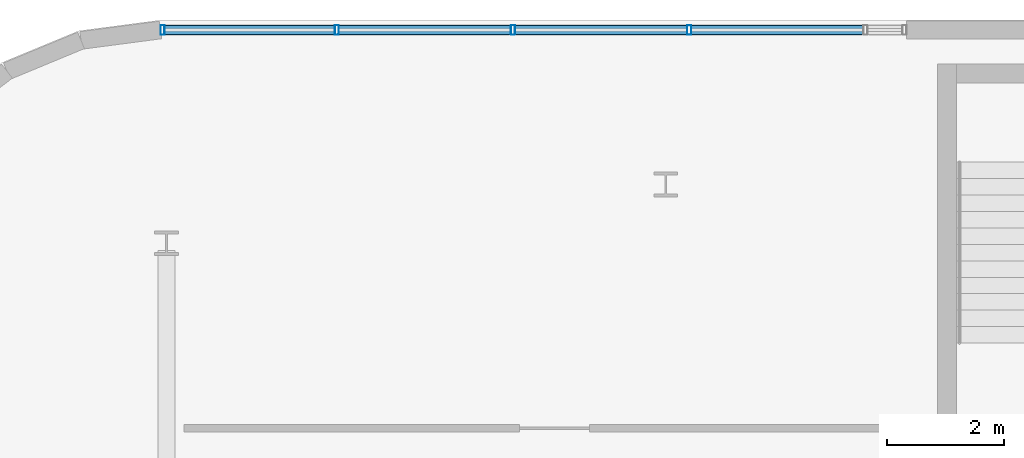
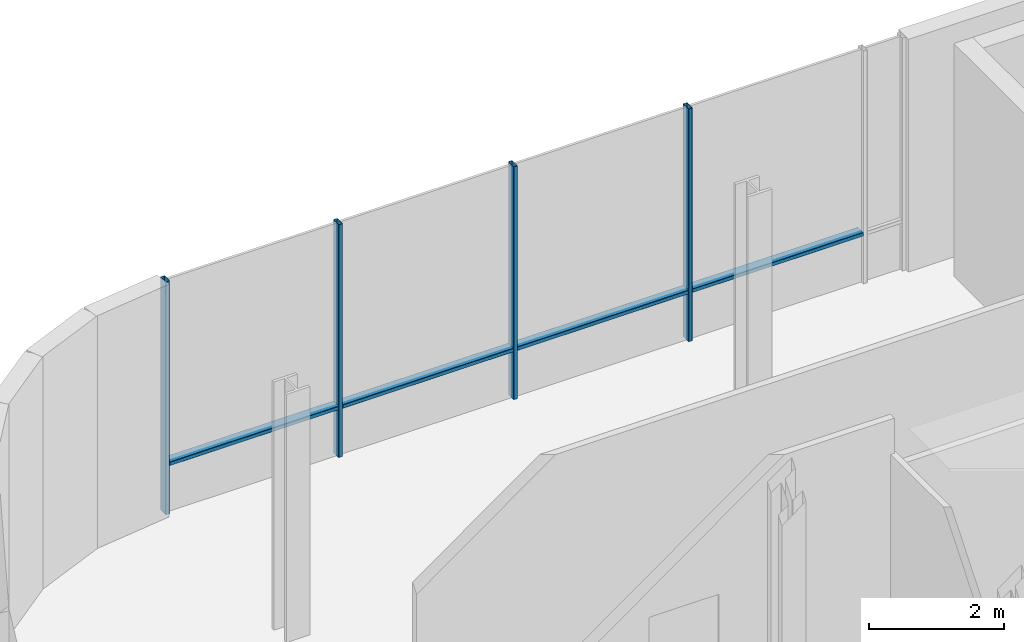
# One storey, part 5 of 25: 8 members, 1 element without a shape of its own.
"""IFC4 building model written with IfcOpenShell, lengths in metres."""

import ifcopenshell
import ifcopenshell.guid

model = None  # the IFC model being written
_history = None  # IfcOwnerHistory: only IFC2X3 demands one
_inside = {}  # id of a spatial element -> (the spatial element, [elements in it])
_under = {}  # id of a project, library or spatial element -> (it, [spatial elements below it])
_declared = {}  # id of a project -> (the project, [libraries it declares])
_typed = {}  # id of a type object -> (the type object, [elements of that type])
_made_of = {}  # id of a material, layer set ... -> (it, [elements and type objects made of it])


def new_model(schema):
    """Start an empty IFC model of exactly this schema.

    Asked for "IFC4X3", IfcOpenShell would pick the latest addendum, in which some entities
    have other attributes; the version numbers below select the first issue.
    IFC2X3 requires an IfcOwnerHistory on every rooted entity: one is made here for all.
    """
    global model, _history
    if schema == "IFC4X3":
        model = ifcopenshell.file(schema_version=(4, 3, 0, 0))
    else:
        model = ifcopenshell.file(schema=schema)
    _inside.clear()
    _under.clear()
    _declared.clear()
    _typed.clear()
    _made_of.clear()
    _history = None
    if model.schema == "IFC2X3":
        org = make("IfcOrganization", Name="unknown")
        user = make(
            "IfcPersonAndOrganization",
            ThePerson=make("IfcPerson", FamilyName="unknown"),
            TheOrganization=org,
        )
        app = make(
            "IfcApplication",
            ApplicationDeveloper=org,
            Version="unknown",
            ApplicationFullName="unknown",
            ApplicationIdentifier="unknown",
        )
        _history = make(
            "IfcOwnerHistory",
            OwningUser=user,
            OwningApplication=app,
            ChangeAction="ADDED",
            CreationDate=0,
        )
    return model


def make(cls, **values):
    """One entity of the class cls with the attributes given. An attribute that is None is left unset."""
    return model.create_entity(
        cls, **{name: value for name, value in values.items() if value is not None}
    )


def rooted(cls, **values):
    """An entity with a GlobalId (a new one), such as an element, a storey or a relation."""
    return make(cls, GlobalId=ifcopenshell.guid.new(), OwnerHistory=_history, **values)


def si_unit(unit_type, name, prefix=None):
    """IfcSIUnit, for example si_unit("LENGTHUNIT", "METRE", prefix="MILLI")."""
    return make("IfcSIUnit", UnitType=unit_type, Prefix=prefix, Name=name)


def assignment(units):
    """IfcUnitAssignment: the units of a project."""
    return None if units is None else make("IfcUnitAssignment", Units=units)


def point(xyz):
    """IfcCartesianPoint."""
    return None if xyz is None else make("IfcCartesianPoint", Coordinates=xyz)


def direction(xyz):
    """IfcDirection."""
    return None if xyz is None else make("IfcDirection", DirectionRatios=xyz)


def frame(location, z_axis=None, x_axis=None):
    """IfcAxis2Placement3D, a coordinate frame: its origin and axes. An axis left out is left unset."""
    return make(
        "IfcAxis2Placement3D",
        Location=point(location),
        Axis=direction(z_axis),
        RefDirection=direction(x_axis),
    )


def frame_2d(location, x_axis=None):
    """IfcAxis2Placement2D, a coordinate frame in the plane: its origin and x axis."""
    return make(
        "IfcAxis2Placement2D", Location=point(location), RefDirection=direction(x_axis)
    )


def origin():
    """The frame at (0, 0, 0) with its axes left unset."""
    return frame((0.0, 0.0, 0.0))


def origin_2d():
    """The frame at (0, 0) in the plane with its x axis left unset."""
    return frame_2d((0.0, 0.0))


def place(relative_to, where):
    """IfcLocalPlacement: puts the frame where relative to a parent placement (None: the world)."""
    return make(
        "IfcLocalPlacement", PlacementRelTo=relative_to, RelativePlacement=where
    )


def context(
    kind, dimensions, precision=None, world=None, true_north=None, identifier=None
):
    """IfcGeometricRepresentationContext, for example the 3D "Model" context."""
    return make(
        "IfcGeometricRepresentationContext",
        ContextIdentifier=identifier,
        ContextType=kind,
        CoordinateSpaceDimension=dimensions,
        Precision=precision,
        WorldCoordinateSystem=world,
        TrueNorth=true_north,
    )


def subcontext(parent, identifier, kind, view, scale=None):
    """IfcGeometricRepresentationSubContext, for example "Body" below "Model"."""
    return make(
        "IfcGeometricRepresentationSubContext",
        ContextIdentifier=identifier,
        ContextType=kind,
        ParentContext=parent,
        TargetScale=scale,
        TargetView=view,
    )


def project(units=None, contexts=None):
    """IfcProject with its units and contexts."""
    return rooted(
        "IfcProject",
        Name="project",
        RepresentationContexts=contexts,
        UnitsInContext=assignment(units),
    )


def spatial(cls, under=None, at=None, **own):
    """A site, building, storey or space (cls), placed at a placement, below another one or the project."""
    s = rooted(cls, ObjectPlacement=at, **own)
    if under is not None:
        _under.setdefault(under.id(), (under, []))[1].append(s)
    return s


def profile(cls, at=None, kind="AREA", **sizes):
    """A parametric profile (cls). Its sizes go by their IFC names, for example OverallWidth=200.0."""
    return make(cls, ProfileType=kind, Position=at, **sizes)


def hollow_rectangle(**sizes):
    """IfcRectangleHollowProfileDef."""
    return profile("IfcRectangleHollowProfileDef", **sizes)


def extrude(swept, where, along, depth):
    """IfcExtrudedAreaSolid: the profile swept, set in the frame where, extruded along a direction by depth."""
    return make(
        "IfcExtrudedAreaSolid",
        SweptArea=swept,
        Position=where,
        ExtrudedDirection=direction(along),
        Depth=depth,
    )


def shape(context_of_items, identifier, shape_type, items):
    """IfcShapeRepresentation: the items that make up one representation, for example the "Body"."""
    return make(
        "IfcShapeRepresentation",
        ContextOfItems=context_of_items,
        RepresentationIdentifier=identifier,
        RepresentationType=shape_type,
        Items=items,
    )


def material(Name=None, Category=None):
    """IfcMaterial."""
    return make("IfcMaterial", Name=Name, Category=Category)


def layer(
    of_material, thickness, ventilated=None, Name=None, Category=None, Priority=None
):
    """IfcMaterialLayer: one layer of a wall or slab, of a material (None: an air gap)."""
    return make(
        "IfcMaterialLayer",
        Material=of_material,
        LayerThickness=thickness,
        IsVentilated=ventilated,
        Name=Name,
        Category=Category,
        Priority=Priority,
    )


def layer_set(layers, Name=None):
    """IfcMaterialLayerSet."""
    return make("IfcMaterialLayerSet", MaterialLayers=layers, LayerSetName=Name)


def material_profile(
    of_material, cross_section, Name=None, Category=None, Priority=None
):
    """IfcMaterialProfile: a cross section and its material."""
    return make(
        "IfcMaterialProfile",
        Name=Name,
        Material=of_material,
        Profile=cross_section,
        Priority=Priority,
        Category=Category,
    )


def profile_set(profiles, Name=None, composite=None):
    """IfcMaterialProfileSet."""
    return make(
        "IfcMaterialProfileSet",
        Name=Name,
        MaterialProfiles=profiles,
        CompositeProfile=composite,
    )


def made_of(thing, what):
    """Note that an element or type object is made of a material, layer set ...; save() writes the relation."""
    if what is not None:
        _made_of.setdefault(what.id(), (what, []))[1].append(thing)
    return thing


def type_object(cls, material=None, **own):
    """A type object (cls), such as IfcWallType, which elements share."""
    return made_of(rooted(cls, **own), material)


def element(
    cls,
    number,
    at=None,
    inside=None,
    cuts=None,
    type_object=None,
    material=None,
    context=None,
    identifier="Body",
    shape_type=None,
    held_by="IfcProductDefinitionShape",
    body=None,
    shapes=None,
    **own,
):
    """One element of the class cls, such as IfcWall. Its Tag is "e" and its number.

    at: its placement. inside: the storey or other place that contains it. cuts: it is an
    opening in that element (IfcRelVoidsElement). A single representation is given by context,
    identifier, shape_type and body (its items); several are given by shapes. held_by: the class
    of the entity that holds the representations. save() writes the other relations.
    """
    e = rooted(cls, Tag="e%d" % number, ObjectPlacement=at, **own)
    if body is not None:
        shapes = [shape(context, identifier, shape_type, body)]
    if shapes is not None:
        e.Representation = make(held_by, Representations=shapes)
    if inside is not None:
        _inside.setdefault(inside.id(), (inside, []))[1].append(e)
    if cuts is not None:
        rooted(
            "IfcRelVoidsElement", RelatingBuildingElement=cuts, RelatedOpeningElement=e
        )
    if type_object is not None:
        _typed.setdefault(type_object.id(), (type_object, []))[1].append(e)
    return made_of(e, material)


def aggregate(whole, parts):
    """IfcRelAggregates: a whole, such as a stair, and the parts it consists of."""
    return rooted("IfcRelAggregates", RelatingObject=whole, RelatedObjects=parts)


def save(model, path):
    """Write the relations noted so far, then the file.

    IfcRelAggregates (storeys below a building ...), IfcRelContainedInSpatialStructure (elements
    in a storey), IfcRelDefinesByType, IfcRelAssociatesMaterial and IfcRelDeclares: one each for
    every whole, place, type object, material and project.
    """
    for whole, parts in _under.values():
        aggregate(whole, parts)
    for where, things in _inside.values():
        rooted(
            "IfcRelContainedInSpatialStructure",
            RelatedElements=things,
            RelatingStructure=where,
        )
    for kind, things in _typed.values():
        rooted("IfcRelDefinesByType", RelatedObjects=things, RelatingType=kind)
    for what, things in _made_of.values():
        rooted("IfcRelAssociatesMaterial", RelatedObjects=things, RelatingMaterial=what)
    for by, libraries in _declared.values():
        rooted("IfcRelDeclares", RelatingContext=by, RelatedDefinitions=libraries)
    model.write(path)


model = new_model("IFC4")

# Units and contexts
model_context = context("Model", 3, precision=1e-05, world=origin(), true_north=direction((0.0, 1.0)))
body_context = subcontext(model_context, "Body", "Model", "MODEL_VIEW")
ifc_project = project(units=[si_unit("LENGTHUNIT", "METRE"), si_unit("AREAUNIT", "SQUARE_METRE"), si_unit("VOLUMEUNIT", "CUBIC_METRE"), si_unit("PLANEANGLEUNIT", "RADIAN"), si_unit("MASSUNIT", "GRAM", prefix="KILO")], contexts=[model_context])

# Site, building, storey
site_placement = place(None, origin())
site = spatial("IfcSite", under=ifc_project, at=site_placement, CompositionType="ELEMENT")
building_placement = place(site_placement, origin())
building = spatial("IfcBuilding", under=site, at=building_placement, Name="Brevholm Reach", CompositionType="ELEMENT")
storey_placement = place(building_placement, frame((0.0, 0.0, 13.5)))
storey = spatial("IfcBuildingStorey", under=building, at=storey_placement, Name="L03", CompositionType="ELEMENT", Elevation=13.5)

# Curtain wall, members
ifc_material_1 = material(Name="Dark Anodised Aluminium 6063-T6 and Solar-Control Glass", Category="aluminium")
ifc_layer = layer(ifc_material_1, 0.1650390625)
ifc_layer_set = layer_set([ifc_layer], Name="Dark Anodised Aluminium 6063-T6 and Solar-Control Glass")
curtain_wall_type = type_object("IfcCurtainWallType", Name="CW-03", PredefinedType="NOTDEFINED", material=ifc_layer_set)
curtain_wall_placement = place(storey_placement, origin())
curtain_wall = element("IfcCurtainWall", 1, at=curtain_wall_placement, inside=storey, type_object=curtain_wall_type, Name="L03 Curtain Wall CW-03", PredefinedType="NOTDEFINED")
ifc_material_2 = material(Name="Dark Anodised Aluminium 6063-T6", Category="aluminium")
ifc_material_profile_1 = material_profile(ifc_material_2, hollow_rectangle(XDim=0.070068359375, YDim=0.1650390625, WallThickness=0.0048828125, InnerFilletRadius=0.0048828125, OuterFilletRadius=0.010009765625, at=origin_2d()), Name="RHS 165x70x5")
ifc_profile_set_1 = profile_set([ifc_material_profile_1], Name="Dark Anodised Aluminium 6063-T6")
member_type_1 = type_object("IfcMemberType", Name="CWM-165", PredefinedType="MULLION", material=ifc_profile_set_1)
member_1_placement = place(storey_placement, frame((-5.56494140625, 39.830078125, 0.0), z_axis=(0.0, 0.0, 1.0), x_axis=(1.0, 0.0, 0.0)))
member_1 = element("IfcMember", 2, at=member_1_placement, type_object=member_type_1, Name="CM-165 Mullion 1", PredefinedType="MULLION", context=body_context, shape_type="SweptSolid", body=[
    extrude(hollow_rectangle(XDim=0.070068359375, YDim=0.1650390625, WallThickness=0.0048828125, InnerFilletRadius=0.0048828125, OuterFilletRadius=0.010009765625, at=origin_2d()), origin(), (0.0, 0.0, 1.0), 4.219970703125),
])
member_2_placement = place(storey_placement, frame((-2.60009765625, 39.830078125, 0.0), z_axis=(0.0, 0.0, 1.0), x_axis=(1.0, 0.0, 0.0)))
member_2 = element("IfcMember", 3, at=member_2_placement, type_object=member_type_1, Name="CM-165 Mullion 2", PredefinedType="MULLION", context=body_context, shape_type="SweptSolid", body=[
    extrude(hollow_rectangle(XDim=0.070068359375, YDim=0.1650390625, WallThickness=0.0048828125, InnerFilletRadius=0.0048828125, OuterFilletRadius=0.010009765625, at=origin_2d()), origin(), (0.0, 0.0, 1.0), 4.219970703125),
])
member_3_placement = place(storey_placement, frame((0.39990234375, 39.830078125, 0.0), z_axis=(0.0, 0.0, 1.0), x_axis=(1.0, 0.0, 0.0)))
member_3 = element("IfcMember", 4, at=member_3_placement, type_object=member_type_1, Name="CM-165 Mullion 3", PredefinedType="MULLION", context=body_context, shape_type="SweptSolid", body=[
    extrude(hollow_rectangle(XDim=0.070068359375, YDim=0.1650390625, WallThickness=0.0048828125, InnerFilletRadius=0.0048828125, OuterFilletRadius=0.010009765625, at=origin_2d()), origin(), (0.0, 0.0, 1.0), 4.219970703125),
])
member_4_placement = place(storey_placement, frame((3.39990234375, 39.830078125, 0.0), z_axis=(0.0, 0.0, 1.0), x_axis=(1.0, 0.0, 0.0)))
member_4 = element("IfcMember", 5, at=member_4_placement, type_object=member_type_1, Name="CM-165 Mullion 4", PredefinedType="MULLION", context=body_context, shape_type="SweptSolid", body=[
    extrude(hollow_rectangle(XDim=0.070068359375, YDim=0.1650390625, WallThickness=0.0048828125, InnerFilletRadius=0.0048828125, OuterFilletRadius=0.010009765625, at=origin_2d()), origin(), (0.0, 0.0, 1.0), 4.219970703125),
])
ifc_material_3 = material(Name="Dark Anodised Aluminium 6063-T6", Category="aluminium")
ifc_material_profile_2 = material_profile(ifc_material_3, hollow_rectangle(XDim=0.070068359375, YDim=0.1650390625, WallThickness=0.0048828125, InnerFilletRadius=0.0048828125, OuterFilletRadius=0.010009765625, at=origin_2d()), Name="RHS 165x70x5")
ifc_profile_set_2 = profile_set([ifc_material_profile_2], Name="Dark Anodised Aluminium 6063-T6")
member_type_2 = type_object("IfcMemberType", Name="CWT-165", PredefinedType="NOTDEFINED", material=ifc_profile_set_2)
member_5_placement = place(storey_placement, frame((-5.530029296875, 39.830078125, 0.89990234375), z_axis=(1.0, 0.0, 0.0), x_axis=(0.0, 0.0, 1.0)))
member_5 = element("IfcMember", 6, at=member_5_placement, type_object=member_type_2, Name="CT-165 Transom 1.1", ObjectType="TRANSOM", PredefinedType="USERDEFINED", context=body_context, shape_type="SweptSolid", body=[
    extrude(hollow_rectangle(XDim=0.070068359375, YDim=0.1650390625, WallThickness=0.0048828125, InnerFilletRadius=0.0048828125, OuterFilletRadius=0.010009765625, at=origin_2d()), origin(), (0.0, 0.0, 1.0), 2.89501953125),
])
member_6_placement = place(storey_placement, frame((-2.56494140625, 39.830078125, 0.89990234375), z_axis=(1.0, 0.0, 0.0), x_axis=(0.0, 0.0, 1.0)))
member_6 = element("IfcMember", 7, at=member_6_placement, type_object=member_type_2, Name="CT-165 Transom 2.1", ObjectType="TRANSOM", PredefinedType="USERDEFINED", context=body_context, shape_type="SweptSolid", body=[
    extrude(hollow_rectangle(XDim=0.070068359375, YDim=0.1650390625, WallThickness=0.0048828125, InnerFilletRadius=0.0048828125, OuterFilletRadius=0.010009765625, at=origin_2d()), origin(), (0.0, 0.0, 1.0), 2.929931640625),
])
member_7_placement = place(storey_placement, frame((0.43505859375, 39.830078125, 0.89990234375), z_axis=(1.0, 0.0, 0.0), x_axis=(0.0, 0.0, 1.0)))
member_7 = element("IfcMember", 8, at=member_7_placement, type_object=member_type_2, Name="CT-165 Transom 3.1", ObjectType="TRANSOM", PredefinedType="USERDEFINED", context=body_context, shape_type="SweptSolid", body=[
    extrude(hollow_rectangle(XDim=0.070068359375, YDim=0.1650390625, WallThickness=0.0048828125, InnerFilletRadius=0.0048828125, OuterFilletRadius=0.010009765625, at=origin_2d()), origin(), (0.0, 0.0, 1.0), 2.929931640625),
])
member_8_placement = place(storey_placement, frame((3.43505859375, 39.830078125, 0.89990234375), z_axis=(1.0, 0.0, 0.0), x_axis=(0.0, 0.0, 1.0)))
member_8 = element("IfcMember", 9, at=member_8_placement, type_object=member_type_2, Name="CT-165 Transom 4.1", ObjectType="TRANSOM", PredefinedType="USERDEFINED", context=body_context, shape_type="SweptSolid", body=[
    extrude(hollow_rectangle(XDim=0.070068359375, YDim=0.1650390625, WallThickness=0.0048828125, InnerFilletRadius=0.0048828125, OuterFilletRadius=0.010009765625, at=origin_2d()), origin(), (0.0, 0.0, 1.0), 2.929931640625),
])
aggregate(curtain_wall, [member_1, member_2, member_3, member_4, member_5, member_6, member_7, member_8])

save(model, "model.ifc")
